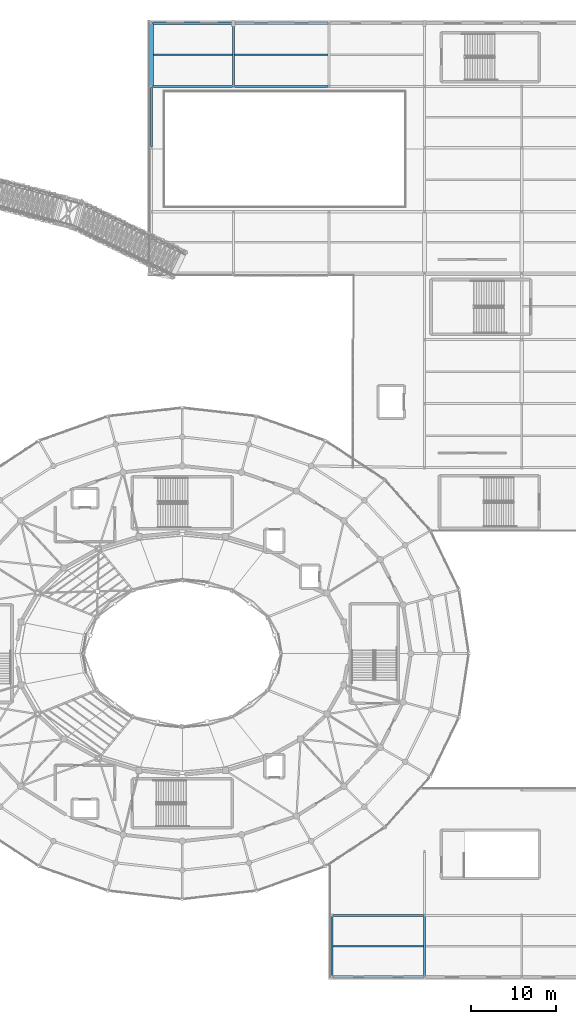
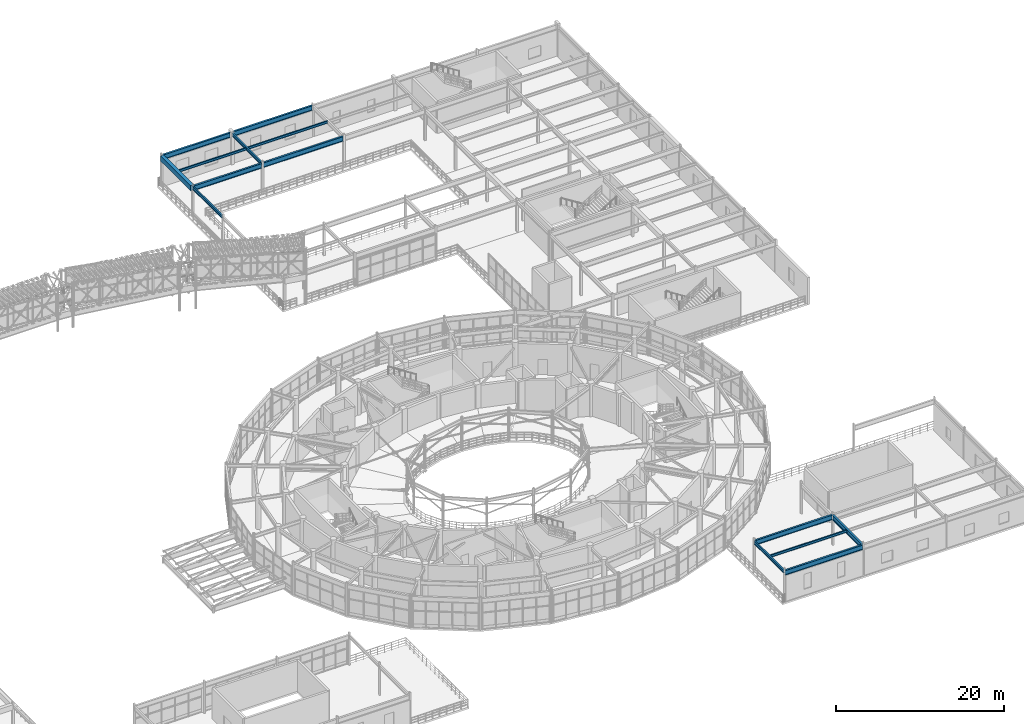
# One storey, part 69 of 144: 14 beams.
"""IFC4 building model written with IfcOpenShell, lengths in metres."""

from ifc_helpers import new_model, si_unit, direction, frame, origin, origin_2d, place, context, subcontext, project, spatial, rectangle, i_section, extrude, material, material_profile, profile_set, type_object, element, save


model = new_model("IFC4")

# Units and contexts
model_context = context("Model", 3, precision=1e-05, world=origin(), true_north=direction((0.0, 1.0)))
body_context = subcontext(model_context, "Body", "Model", "MODEL_VIEW")
ifc_project = project(units=[si_unit("LENGTHUNIT", "METRE"), si_unit("AREAUNIT", "SQUARE_METRE"), si_unit("VOLUMEUNIT", "CUBIC_METRE"), si_unit("PLANEANGLEUNIT", "RADIAN"), si_unit("MASSUNIT", "GRAM", prefix="KILO")], contexts=[model_context])

# Site, building, storey
site_placement = place(None, origin())
site = spatial("IfcSite", under=ifc_project, at=site_placement, CompositionType="ELEMENT")
building_placement = place(site_placement, origin())
building = spatial("IfcBuilding", under=site, at=building_placement, Name="Cinderbank Siding Concert Hall", CompositionType="ELEMENT")
storey_placement = place(building_placement, frame((0.0, 0.0, 5.39990234375)))
storey = spatial("IfcBuildingStorey", under=building, at=storey_placement, Name="L02", CompositionType="ELEMENT", Elevation=5.39990234375)

# Beams
ifc_material_1 = material(Name="Reinforced concrete AS 3600 N50 (50 MPa)", Category="concrete")
ifc_material_profile_1 = material_profile(ifc_material_1, rectangle(XDim=0.449951171875, YDim=0.75, at=origin_2d()), Name="RC-BM-450x750", Category="LoadBearing")
ifc_profile_set_1 = profile_set([ifc_material_profile_1], Name="Reinforced concrete AS 3600 N50 (50 MPa)")
beam_type_1 = type_object("IfcBeamType", Name="BM-RC750 RC-BM-450x750", PredefinedType="BEAM", material=ifc_profile_set_1)
beam_1_placement = place(storey_placement, frame((118.39990234375, 110.6201171875, 4.1669921875), z_axis=(0.0, 1.0, 0.0), x_axis=(-1.0, 0.0, 0.0)))
element("IfcBeam", 1, at=beam_1_placement, inside=storey, type_object=beam_type_1, Name="L02 Beam BM-RC750 #1534", PredefinedType="BEAM", context=body_context, shape_type="SweptSolid", body=[
    extrude(rectangle(XDim=0.449951171875, YDim=0.75, at=origin_2d()), origin(), (0.0, 0.0, 1.0), 7.159912109375),
])
ifc_material_2 = material(Name="Structural steel AS/NZS 3679.1 Grade 350 (340 MPa)", Category="steel")
ifc_material_profile_2 = material_profile(ifc_material_2, i_section(OverallWidth=0.18994140625, OverallDepth=0.45751953125, WebThickness=0.009033203125, FlangeThickness=0.014404296875, at=origin_2d()), Name="460UB74.6", Category="LoadBearing")
ifc_profile_set_2 = profile_set([ifc_material_profile_2], Name="Structural steel AS/NZS 3679.1 Grade 350 (340 MPa)")
beam_type_2 = type_object("IfcBeamType", Name="BM-UB460 460UB74.6", PredefinedType="BEAM", material=ifc_profile_set_2)
beam_2_placement = place(storey_placement, frame((118.39990234375, 103.419921875, 4.3134765625), z_axis=(0.0, 1.0, 0.0), x_axis=(-1.0, 0.0, 0.0)))
element("IfcBeam", 2, at=beam_2_placement, inside=storey, type_object=beam_type_2, Name="L02 Beam BM-UB460 #1532", PredefinedType="BEAM", context=body_context, shape_type="SweptSolid", body=[
    extrude(i_section(OverallWidth=0.18994140625, OverallDepth=0.45751953125, WebThickness=0.009033203125, FlangeThickness=0.014404296875, at=origin_2d()), origin(), (0.0, 0.0, 1.0), 6.9599609375),
])
beam_3_placement = place(storey_placement, frame((128.0, 110.6201171875, 4.3134765625), z_axis=(0.0, 1.0, 0.0), x_axis=(-1.0, 0.0, 0.0)))
element("IfcBeam", 3, at=beam_3_placement, inside=storey, type_object=beam_type_2, Name="L02 Beam BM-UB460 #1540", PredefinedType="BEAM", context=body_context, shape_type="SweptSolid", body=[
    extrude(i_section(OverallWidth=0.18994140625, OverallDepth=0.45751953125, WebThickness=0.009033203125, FlangeThickness=0.014404296875, at=origin_2d()), origin(), (0.0, 0.0, 1.0), 7.087890625),
])
beam_4_placement = place(storey_placement, frame((139.60009765625, 6.194580078125, 4.223388671875), z_axis=(0.0, 1.0, 0.0), x_axis=(-1.0, 0.0, 0.0)))
element("IfcBeam", 4, at=beam_4_placement, inside=storey, type_object=beam_type_2, Name="L02 Beam BM-UB460 #1596", PredefinedType="BEAM", context=body_context, shape_type="SweptSolid", body=[
    extrude(i_section(OverallWidth=0.18994140625, OverallDepth=0.45751953125, WebThickness=0.009033203125, FlangeThickness=0.014404296875, at=origin_2d()), origin(), (0.0, 0.0, 1.0), 7.010986328125),
])
ifc_material_3 = material(Name="Structural steel welded plate section AS/NZS 3679.2 / AS/NZS 3678 Grade 350 (340 MPa)", Category="steel")
ifc_material_profile_3 = material_profile(ifc_material_3, i_section(OverallWidth=0.25, OverallDepth=0.699951171875, WebThickness=0.010009765625, FlangeThickness=0.01611328125, at=origin_2d()), Name="700WB130", Category="LoadBearing")
ifc_profile_set_3 = profile_set([ifc_material_profile_3], Name="Structural steel welded plate section AS/NZS 3679.2 / AS/NZS 3678 Grade 350 (340 MPa)")
beam_type_3 = type_object("IfcBeamType", Name="BM-WB700 700WB130", PredefinedType="BEAM", material=ifc_profile_set_3)
beam_5_placement = place(storey_placement, frame((118.52001953125, 110.5, 4.192138671875), z_axis=(1.0, 0.0, 0.0), x_axis=(0.0, 1.0, 0.0)))
element("IfcBeam", 5, at=beam_5_placement, inside=storey, type_object=beam_type_3, Name="L02 Beam BM-WB700 #1533", PredefinedType="BEAM", context=body_context, shape_type="SweptSolid", body=[
    extrude(i_section(OverallWidth=0.25, OverallDepth=0.699951171875, WebThickness=0.010009765625, FlangeThickness=0.01611328125, at=origin_2d()), origin(), (0.0, 0.0, 1.0), 9.35986328125),
])
beam_6_placement = place(storey_placement, frame((118.52001953125, 117.89990234375, 4.192138671875), z_axis=(1.0, 0.0, 0.0), x_axis=(0.0, 1.0, 0.0)))
element("IfcBeam", 6, at=beam_6_placement, inside=storey, type_object=beam_type_3, Name="L02 Beam BM-WB700 #1535", PredefinedType="BEAM", context=body_context, shape_type="SweptSolid", body=[
    extrude(i_section(OverallWidth=0.25, OverallDepth=0.699951171875, WebThickness=0.010009765625, FlangeThickness=0.01611328125, at=origin_2d()), origin(), (0.0, 0.0, 1.0), 9.2880859375),
])
beam_7_placement = place(storey_placement, frame((128.1201171875, 110.5, 4.192138671875), z_axis=(1.0, 0.0, 0.0), x_axis=(0.0, 1.0, 0.0)))
element("IfcBeam", 7, at=beam_7_placement, inside=storey, type_object=beam_type_3, Name="L02 Beam BM-WB700 #1539", PredefinedType="BEAM", context=body_context, shape_type="SweptSolid", body=[
    extrude(i_section(OverallWidth=0.25, OverallDepth=0.699951171875, WebThickness=0.010009765625, FlangeThickness=0.01611328125, at=origin_2d()), origin(), (0.0, 0.0, 1.0), 10.9599609375),
])
beam_8_placement = place(storey_placement, frame((128.19189453125, 117.89990234375, 4.192138671875), z_axis=(1.0, 0.0, 0.0), x_axis=(0.0, 1.0, 0.0)))
element("IfcBeam", 8, at=beam_8_placement, inside=storey, type_object=beam_type_3, Name="L02 Beam BM-WB700 #1541", PredefinedType="BEAM", context=body_context, shape_type="SweptSolid", body=[
    extrude(i_section(OverallWidth=0.25, OverallDepth=0.699951171875, WebThickness=0.010009765625, FlangeThickness=0.01611328125, at=origin_2d()), origin(), (0.0, 0.0, 1.0), 10.88818359375),
])
for number, where, z_axis, x_axis, name in (
    (9, (139.694580078125, 6.10009765625, 4.10205078125), (1.0, 0.0, 0.0), (0.0, 1.0, 0.0), "L02 Beam BM-WB700 #1595"),
    (10, (139.694580078125, 13.300048828125, 4.10205078125), (1.0, 0.0, 0.0), (0.0, 1.0, 0.0), "L02 Beam BM-WB700 #1597"),
):
    element("IfcBeam", number, at=place(storey_placement, frame(where, z_axis=z_axis, x_axis=x_axis)), inside=storey, type_object=beam_type_3, Name=name, PredefinedType="BEAM", context=body_context, shape_type="SweptSolid", body=[
        extrude(i_section(OverallWidth=0.25, OverallDepth=0.699951171875, WebThickness=0.010009765625, FlangeThickness=0.01611328125, at=origin_2d()), origin(), (0.0, 0.0, 1.0), 10.61083984375),
    ])
beam_9_placement = place(storey_placement, frame((150.39990234375, 6.194580078125, 4.10205078125), z_axis=(0.0, 1.0, 0.0), x_axis=(-1.0, 0.0, 0.0)))
element("IfcBeam", 11, at=beam_9_placement, inside=storey, type_object=beam_type_3, Name="L02 Beam BM-WB700 #1599", PredefinedType="BEAM", context=body_context, shape_type="SweptSolid", body=[
    extrude(i_section(OverallWidth=0.25, OverallDepth=0.699951171875, WebThickness=0.010009765625, FlangeThickness=0.01611328125, at=origin_2d()), origin(), (0.0, 0.0, 1.0), 7.010986328125),
])
ifc_material_profile_4 = material_profile(ifc_material_2, i_section(OverallWidth=0.1708984375, OverallDepth=0.35205078125, WebThickness=0.0068359375, FlangeThickness=0.009765625, at=origin_2d()), Name="360UB44.7", Category="LoadBearing")
ifc_profile_set_4 = profile_set([ifc_material_profile_4], Name="Structural steel AS/NZS 3679.1 Grade 350 (340 MPa)")
beam_type_4 = type_object("IfcBeamType", Name="JS-UB360 360UB44.7", PredefinedType="JOIST", material=ifc_profile_set_4)
beam_10_placement = place(storey_placement, frame((118.616943359375, 114.199951171875, 4.3662109375), z_axis=(1.0, 0.0, 0.0), x_axis=(0.0, 1.0, 0.0)))
element("IfcBeam", 12, at=beam_10_placement, inside=storey, type_object=beam_type_4, Name="L02 Beam JS-UB360 #1667", PredefinedType="JOIST", context=body_context, shape_type="SweptSolid", body=[
    extrude(i_section(OverallWidth=0.1708984375, OverallDepth=0.35205078125, WebThickness=0.0068359375, FlangeThickness=0.009765625, at=origin_2d()), origin(), (0.0, 0.0, 1.0), 9.296142578125),
])
beam_11_placement = place(storey_placement, frame((128.0869140625, 114.199951171875, 4.3662109375), z_axis=(1.0, 0.0, 0.0), x_axis=(0.0, 1.0, 0.0)))
element("IfcBeam", 13, at=beam_11_placement, inside=storey, type_object=beam_type_4, Name="L02 Beam JS-UB360 #1669", PredefinedType="JOIST", context=body_context, shape_type="SweptSolid", body=[
    extrude(i_section(OverallWidth=0.1708984375, OverallDepth=0.35205078125, WebThickness=0.0068359375, FlangeThickness=0.009765625, at=origin_2d()), origin(), (0.0, 0.0, 1.0), 11.0166015625),
])
beam_12_placement = place(storey_placement, frame((139.68701171875, 9.699951171875, 4.276123046875), z_axis=(1.0, 0.0, 0.0), x_axis=(0.0, 1.0, 0.0)))
element("IfcBeam", 14, at=beam_12_placement, inside=storey, type_object=beam_type_4, Name="L02 Beam JS-UB360 #1687", PredefinedType="JOIST", context=body_context, shape_type="SweptSolid", body=[
    extrude(i_section(OverallWidth=0.1708984375, OverallDepth=0.35205078125, WebThickness=0.0068359375, FlangeThickness=0.009765625, at=origin_2d()), origin(), (0.0, 0.0, 1.0), 10.595947265625),
])

save(model, "model.ifc")
